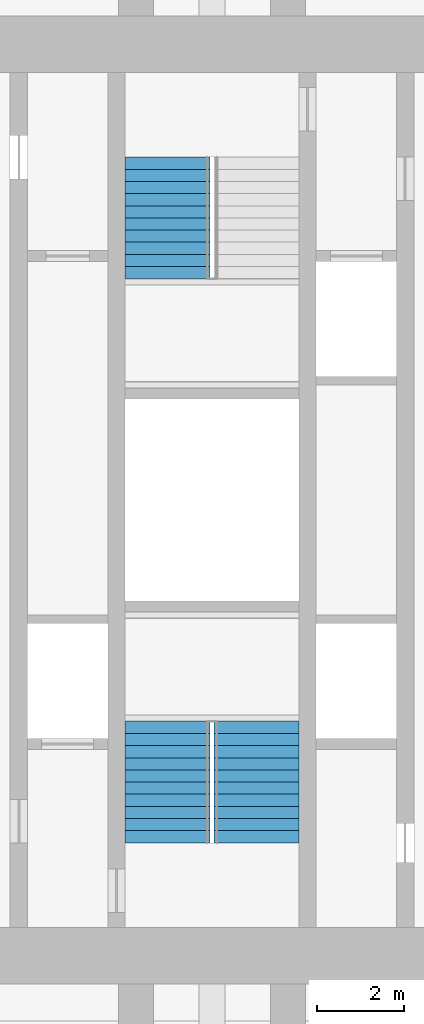
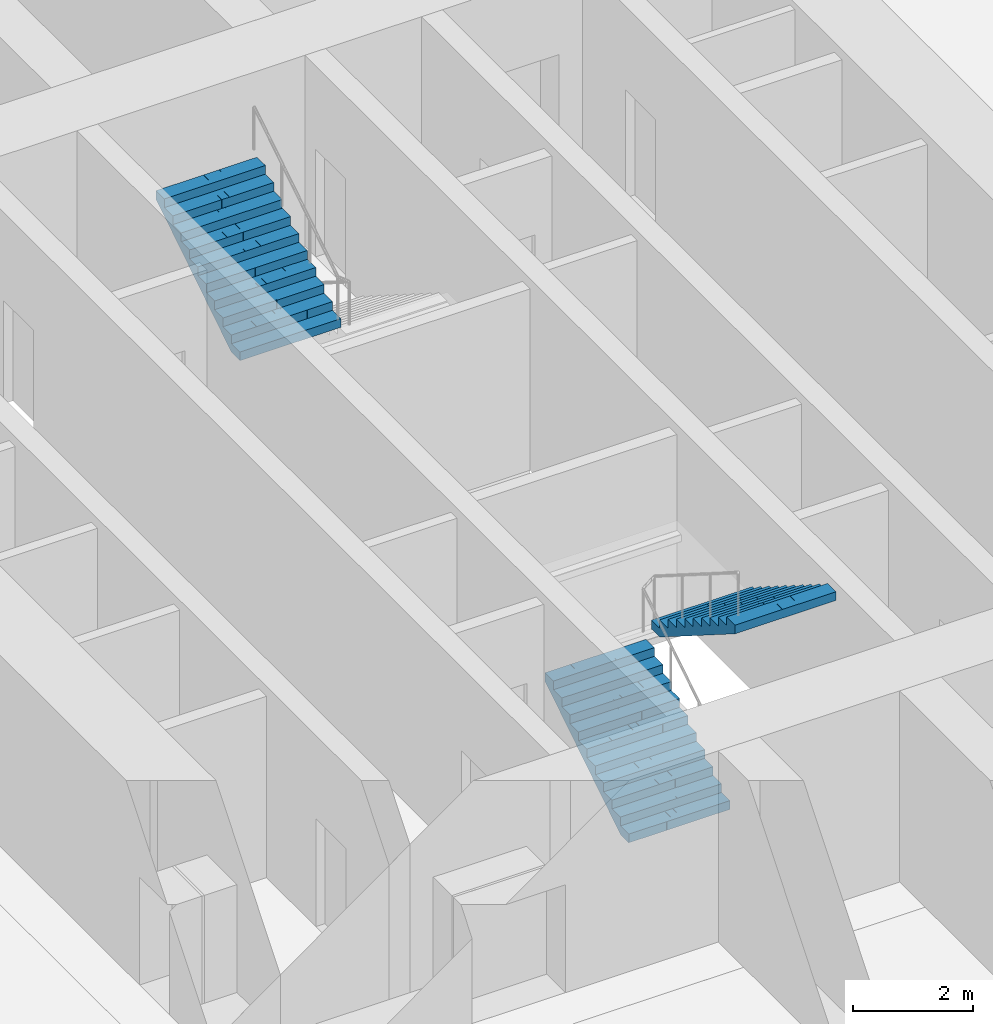
# One storey, part 20 of 22: 3 stair flights, 2 elements without a shape of their own.
"""IFC4 building model written with IfcOpenShell, lengths in metres."""

from ifc_helpers import new_model, si_unit, direction, frame, origin, place, context, subcontext, project, spatial, polyline, outline, extrude, material, type_object, element, aggregate, save


model = new_model("IFC4")

# Units and contexts
model_context = context("Model", 3, precision=1e-05, world=origin(), true_north=direction((0.0, 1.0)))
body_context = subcontext(model_context, "Body", "Model", "MODEL_VIEW")
ifc_project = project(units=[si_unit("LENGTHUNIT", "METRE"), si_unit("AREAUNIT", "SQUARE_METRE"), si_unit("VOLUMEUNIT", "CUBIC_METRE"), si_unit("PLANEANGLEUNIT", "RADIAN"), si_unit("MASSUNIT", "GRAM", prefix="KILO")], contexts=[model_context])

# Site, building, storey
site_placement = place(None, origin())
site = spatial("IfcSite", under=ifc_project, at=site_placement, CompositionType="ELEMENT")
building_placement = place(site_placement, origin())
building = spatial("IfcBuilding", under=site, at=building_placement, Name="Mizan Broadcast Tower", CompositionType="ELEMENT")
storey_placement = place(building_placement, frame((0.0, 0.0, 66.89990234375)))
storey = spatial("IfcBuildingStorey", under=building, at=storey_placement, Name="L13", CompositionType="ELEMENT", Elevation=66.89990234375)

# Stair, stair flights
ifc_material_1 = material(Name="Concrete C40/50", Category="concrete")
stair_type = type_object("IfcStairType", Name="EXIT STAIR", PredefinedType="HALF_TURN_STAIR", material=ifc_material_1)
stair_1_placement = place(storey_placement, origin())
stair_1 = element("IfcStair", 1, at=stair_1_placement, inside=storey, type_object=stair_type, Name="Stair A L13", PredefinedType="HALF_TURN_STAIR")
ifc_material_2 = material(Name="Concrete C40/50", Category="concrete")
stair_flight_type = type_object("IfcStairFlightType", Name="EXIT STAIR FLIGHT", PredefinedType="STRAIGHT", material=ifc_material_2)
stair_flight_1_placement = place(storey_placement, frame((-1.02490234375, -7.89990234375, 0.0), z_axis=(0.0, 0.0, 1.0), x_axis=(0.0, 1.0, 0.0)))
stair_flight_1 = element("IfcStairFlight", 2, at=stair_flight_1_placement, type_object=stair_flight_type, Name="A flight 1", NumberOfRisers=11, NumberOfTreads=10, PredefinedType="STRAIGHT", RiserHeight=0.177272727, TreadLength=0.28, context=body_context, shape_type="SweptSolid", body=[
    extrude(outline(polyline([(0.0, 0.0), (0.0, 0.17724609375), (0.280029296875, 0.17724609375), (0.280029296875, 0.3544921875), (0.56005859375, 0.3544921875), (0.56005859375, 0.53173828125), (0.840087890625, 0.53173828125), (0.840087890625, 0.708984375), (1.1201171875, 0.708984375), (1.1201171875, 0.886474609375), (1.39990234375, 0.886474609375), (1.39990234375, 1.063720703125), (1.679931640625, 1.063720703125), (1.679931640625, 1.240966796875), (1.9599609375, 1.240966796875), (1.9599609375, 1.418212890625), (2.239990234375, 1.418212890625), (2.239990234375, 1.595458984375), (2.52001953125, 1.595458984375), (2.52001953125, 1.772705078125), (2.800048828125, 1.772705078125), (2.800048828125, 1.949951171875), (2.800048828125, 1.59521484375), (0.2802734375, 0.0), (0.0, 0.0)])), frame((0.0, 0.97509765625, 0.0), z_axis=(0.0, -1.0, 0.0), x_axis=(1.0, 0.0, 0.0)), (0.0, 0.0, 1.0), 0.4873046875),
    extrude(outline(polyline([(0.0, 0.0), (0.0, 0.17724609375), (0.280029296875, 0.17724609375), (0.280029296875, 0.3544921875), (0.56005859375, 0.3544921875), (0.56005859375, 0.53173828125), (0.840087890625, 0.53173828125), (0.840087890625, 0.708984375), (1.1201171875, 0.708984375), (1.1201171875, 0.886474609375), (1.39990234375, 0.886474609375), (1.39990234375, 1.063720703125), (1.679931640625, 1.063720703125), (1.679931640625, 1.240966796875), (1.9599609375, 1.240966796875), (1.9599609375, 1.418212890625), (2.239990234375, 1.418212890625), (2.239990234375, 1.595458984375), (2.52001953125, 1.595458984375), (2.52001953125, 1.772705078125), (2.800048828125, 1.772705078125), (2.800048828125, 1.949951171875), (2.800048828125, 1.59521484375), (0.2802734375, 0.0), (0.0, 0.0)])), frame((0.0, 0.4873046875, 0.0), z_axis=(0.0, -1.0, 0.0), x_axis=(1.0, 0.0, 0.0)), (0.0, 0.0, 1.0), 0.2431640625),
    extrude(outline(polyline([(0.0, 0.0), (0.0, 0.17724609375), (0.280029296875, 0.17724609375), (0.280029296875, 0.3544921875), (0.56005859375, 0.3544921875), (0.56005859375, 0.53173828125), (0.840087890625, 0.53173828125), (0.840087890625, 0.708984375), (1.1201171875, 0.708984375), (1.1201171875, 0.886474609375), (1.39990234375, 0.886474609375), (1.39990234375, 1.063720703125), (1.679931640625, 1.063720703125), (1.679931640625, 1.240966796875), (1.9599609375, 1.240966796875), (1.9599609375, 1.418212890625), (2.239990234375, 1.418212890625), (2.239990234375, 1.595458984375), (2.52001953125, 1.595458984375), (2.52001953125, 1.772705078125), (2.800048828125, 1.772705078125), (2.800048828125, 1.949951171875), (2.800048828125, 1.59521484375), (0.2802734375, 0.0), (0.0, 0.0)])), frame((0.0, 0.24365234375, 0.0), z_axis=(0.0, -1.0, 0.0), x_axis=(1.0, 0.0, 0.0)), (0.0, 0.0, 1.0), 0.121337890625),
    extrude(outline(polyline([(0.0, 0.0), (0.0, 0.17724609375), (0.280029296875, 0.17724609375), (0.280029296875, 0.3544921875), (0.56005859375, 0.3544921875), (0.56005859375, 0.53173828125), (0.840087890625, 0.53173828125), (0.840087890625, 0.708984375), (1.1201171875, 0.708984375), (1.1201171875, 0.886474609375), (1.39990234375, 0.886474609375), (1.39990234375, 1.063720703125), (1.679931640625, 1.063720703125), (1.679931640625, 1.240966796875), (1.9599609375, 1.240966796875), (1.9599609375, 1.418212890625), (2.239990234375, 1.418212890625), (2.239990234375, 1.595458984375), (2.52001953125, 1.595458984375), (2.52001953125, 1.772705078125), (2.800048828125, 1.772705078125), (2.800048828125, 1.949951171875), (2.800048828125, 1.59521484375), (0.2802734375, 0.0), (0.0, 0.0)])), frame((0.0, 0.121826171875, 0.0), z_axis=(0.0, -1.0, 0.0), x_axis=(1.0, 0.0, 0.0)), (0.0, 0.0, 1.0), 0.060546875),
    extrude(outline(polyline([(0.0, 0.0), (0.0, 0.17724609375), (0.280029296875, 0.17724609375), (0.280029296875, 0.3544921875), (0.56005859375, 0.3544921875), (0.56005859375, 0.53173828125), (0.840087890625, 0.53173828125), (0.840087890625, 0.708984375), (1.1201171875, 0.708984375), (1.1201171875, 0.886474609375), (1.39990234375, 0.886474609375), (1.39990234375, 1.063720703125), (1.679931640625, 1.063720703125), (1.679931640625, 1.240966796875), (1.9599609375, 1.240966796875), (1.9599609375, 1.418212890625), (2.239990234375, 1.418212890625), (2.239990234375, 1.595458984375), (2.52001953125, 1.595458984375), (2.52001953125, 1.772705078125), (2.800048828125, 1.772705078125), (2.800048828125, 1.949951171875), (2.800048828125, 1.59521484375), (0.2802734375, 0.0), (0.0, 0.0)])), frame((0.0, 0.060791015625, 0.0), z_axis=(0.0, -1.0, 0.0), x_axis=(1.0, 0.0, 0.0)), (0.0, 0.0, 1.0), 0.030029296875),
    extrude(outline(polyline([(0.0, 0.0), (0.0, 0.17724609375), (0.280029296875, 0.17724609375), (0.280029296875, 0.3544921875), (0.56005859375, 0.3544921875), (0.56005859375, 0.53173828125), (0.840087890625, 0.53173828125), (0.840087890625, 0.708984375), (1.1201171875, 0.708984375), (1.1201171875, 0.886474609375), (1.39990234375, 0.886474609375), (1.39990234375, 1.063720703125), (1.679931640625, 1.063720703125), (1.679931640625, 1.240966796875), (1.9599609375, 1.240966796875), (1.9599609375, 1.418212890625), (2.239990234375, 1.418212890625), (2.239990234375, 1.595458984375), (2.52001953125, 1.595458984375), (2.52001953125, 1.772705078125), (2.800048828125, 1.772705078125), (2.800048828125, 1.949951171875), (2.800048828125, 1.59521484375), (0.2802734375, 0.0), (0.0, 0.0)])), frame((0.0, 0.0302734375, 0.0), z_axis=(0.0, -1.0, 0.0), x_axis=(1.0, 0.0, 0.0)), (0.0, 0.0, 1.0), 0.060302734375),
    extrude(outline(polyline([(0.0, 0.0), (0.0, 0.17724609375), (0.280029296875, 0.17724609375), (0.280029296875, 0.3544921875), (0.56005859375, 0.3544921875), (0.56005859375, 0.53173828125), (0.840087890625, 0.53173828125), (0.840087890625, 0.708984375), (1.1201171875, 0.708984375), (1.1201171875, 0.886474609375), (1.39990234375, 0.886474609375), (1.39990234375, 1.063720703125), (1.679931640625, 1.063720703125), (1.679931640625, 1.240966796875), (1.9599609375, 1.240966796875), (1.9599609375, 1.418212890625), (2.239990234375, 1.418212890625), (2.239990234375, 1.595458984375), (2.52001953125, 1.595458984375), (2.52001953125, 1.772705078125), (2.800048828125, 1.772705078125), (2.800048828125, 1.949951171875), (2.800048828125, 1.59521484375), (0.2802734375, 0.0), (0.0, 0.0)])), frame((0.0, -0.030517578125, 0.0), z_axis=(0.0, -1.0, 0.0), x_axis=(1.0, 0.0, 0.0)), (0.0, 0.0, 1.0), 0.030029296875),
    extrude(outline(polyline([(0.0, 0.0), (0.0, 0.17724609375), (0.280029296875, 0.17724609375), (0.280029296875, 0.3544921875), (0.56005859375, 0.3544921875), (0.56005859375, 0.53173828125), (0.840087890625, 0.53173828125), (0.840087890625, 0.708984375), (1.1201171875, 0.708984375), (1.1201171875, 0.886474609375), (1.39990234375, 0.886474609375), (1.39990234375, 1.063720703125), (1.679931640625, 1.063720703125), (1.679931640625, 1.240966796875), (1.9599609375, 1.240966796875), (1.9599609375, 1.418212890625), (2.239990234375, 1.418212890625), (2.239990234375, 1.595458984375), (2.52001953125, 1.595458984375), (2.52001953125, 1.772705078125), (2.800048828125, 1.772705078125), (2.800048828125, 1.949951171875), (2.800048828125, 1.59521484375), (0.2802734375, 0.0), (0.0, 0.0)])), frame((0.0, -0.06103515625, 0.0), z_axis=(0.0, -1.0, 0.0), x_axis=(1.0, 0.0, 0.0)), (0.0, 0.0, 1.0), 0.060546875),
    extrude(outline(polyline([(0.0, 0.0), (0.0, 0.17724609375), (0.280029296875, 0.17724609375), (0.280029296875, 0.3544921875), (0.56005859375, 0.3544921875), (0.56005859375, 0.53173828125), (0.840087890625, 0.53173828125), (0.840087890625, 0.708984375), (1.1201171875, 0.708984375), (1.1201171875, 0.886474609375), (1.39990234375, 0.886474609375), (1.39990234375, 1.063720703125), (1.679931640625, 1.063720703125), (1.679931640625, 1.240966796875), (1.9599609375, 1.240966796875), (1.9599609375, 1.418212890625), (2.239990234375, 1.418212890625), (2.239990234375, 1.595458984375), (2.52001953125, 1.595458984375), (2.52001953125, 1.772705078125), (2.800048828125, 1.772705078125), (2.800048828125, 1.949951171875), (2.800048828125, 1.59521484375), (0.2802734375, 0.0), (0.0, 0.0)])), frame((0.0, -0.1220703125, 0.0), z_axis=(0.0, -1.0, 0.0), x_axis=(1.0, 0.0, 0.0)), (0.0, 0.0, 1.0), 0.121337890625),
    extrude(outline(polyline([(0.0, 0.0), (0.0, 0.17724609375), (0.280029296875, 0.17724609375), (0.280029296875, 0.3544921875), (0.56005859375, 0.3544921875), (0.56005859375, 0.53173828125), (0.840087890625, 0.53173828125), (0.840087890625, 0.708984375), (1.1201171875, 0.708984375), (1.1201171875, 0.886474609375), (1.39990234375, 0.886474609375), (1.39990234375, 1.063720703125), (1.679931640625, 1.063720703125), (1.679931640625, 1.240966796875), (1.9599609375, 1.240966796875), (1.9599609375, 1.418212890625), (2.239990234375, 1.418212890625), (2.239990234375, 1.595458984375), (2.52001953125, 1.595458984375), (2.52001953125, 1.772705078125), (2.800048828125, 1.772705078125), (2.800048828125, 1.949951171875), (2.800048828125, 1.59521484375), (0.2802734375, 0.0), (0.0, 0.0)])), frame((0.0, -0.243896484375, 0.0), z_axis=(0.0, -1.0, 0.0), x_axis=(1.0, 0.0, 0.0)), (0.0, 0.0, 1.0), 0.2431640625),
    extrude(outline(polyline([(0.0, 0.0), (0.0, 0.17724609375), (0.280029296875, 0.17724609375), (0.280029296875, 0.3544921875), (0.56005859375, 0.3544921875), (0.56005859375, 0.53173828125), (0.840087890625, 0.53173828125), (0.840087890625, 0.708984375), (1.1201171875, 0.708984375), (1.1201171875, 0.886474609375), (1.39990234375, 0.886474609375), (1.39990234375, 1.063720703125), (1.679931640625, 1.063720703125), (1.679931640625, 1.240966796875), (1.9599609375, 1.240966796875), (1.9599609375, 1.418212890625), (2.239990234375, 1.418212890625), (2.239990234375, 1.595458984375), (2.52001953125, 1.595458984375), (2.52001953125, 1.772705078125), (2.800048828125, 1.772705078125), (2.800048828125, 1.949951171875), (2.800048828125, 1.59521484375), (0.2802734375, 0.0), (0.0, 0.0)])), frame((0.0, -0.487548828125, 0.0), z_axis=(0.0, -1.0, 0.0), x_axis=(1.0, 0.0, 0.0)), (0.0, 0.0, 1.0), 0.4873046875),
])
stair_flight_2_placement = place(storey_placement, frame((1.02490234375, -5.10009765625, 1.9501953125), z_axis=(0.0, 0.0, 1.0), x_axis=(0.0, -1.0, 0.0)))
stair_flight_2 = element("IfcStairFlight", 3, at=stair_flight_2_placement, type_object=stair_flight_type, Name="A flight 2", NumberOfRisers=11, NumberOfTreads=10, PredefinedType="STRAIGHT", RiserHeight=0.177272727, TreadLength=0.28, context=body_context, shape_type="SweptSolid", body=[
    extrude(outline(polyline([(0.0, 0.0), (0.0, 0.17724609375), (0.280029296875, 0.17724609375), (0.280029296875, 0.3544921875), (0.56005859375, 0.3544921875), (0.56005859375, 0.53173828125), (0.840087890625, 0.53173828125), (0.840087890625, 0.708984375), (1.1201171875, 0.708984375), (1.1201171875, 0.886474609375), (1.39990234375, 0.886474609375), (1.39990234375, 1.063720703125), (1.679931640625, 1.063720703125), (1.679931640625, 1.240966796875), (1.9599609375, 1.240966796875), (1.9599609375, 1.418212890625), (2.239990234375, 1.418212890625), (2.239990234375, 1.595458984375), (2.52001953125, 1.595458984375), (2.52001953125, 1.772705078125), (2.800048828125, 1.772705078125), (2.800048828125, 1.949951171875), (2.800048828125, 1.59521484375), (0.2802734375, 0.0), (0.0, 0.0)])), frame((0.0, 0.97509765625, 0.0), z_axis=(0.0, -1.0, 0.0), x_axis=(1.0, 0.0, 0.0)), (0.0, 0.0, 1.0), 0.4873046875),
    extrude(outline(polyline([(0.0, 0.0), (0.0, 0.17724609375), (0.280029296875, 0.17724609375), (0.280029296875, 0.3544921875), (0.56005859375, 0.3544921875), (0.56005859375, 0.53173828125), (0.840087890625, 0.53173828125), (0.840087890625, 0.708984375), (1.1201171875, 0.708984375), (1.1201171875, 0.886474609375), (1.39990234375, 0.886474609375), (1.39990234375, 1.063720703125), (1.679931640625, 1.063720703125), (1.679931640625, 1.240966796875), (1.9599609375, 1.240966796875), (1.9599609375, 1.418212890625), (2.239990234375, 1.418212890625), (2.239990234375, 1.595458984375), (2.52001953125, 1.595458984375), (2.52001953125, 1.772705078125), (2.800048828125, 1.772705078125), (2.800048828125, 1.949951171875), (2.800048828125, 1.59521484375), (0.2802734375, 0.0), (0.0, 0.0)])), frame((0.0, 0.4873046875, 0.0), z_axis=(0.0, -1.0, 0.0), x_axis=(1.0, 0.0, 0.0)), (0.0, 0.0, 1.0), 0.2431640625),
    extrude(outline(polyline([(0.0, 0.0), (0.0, 0.17724609375), (0.280029296875, 0.17724609375), (0.280029296875, 0.3544921875), (0.56005859375, 0.3544921875), (0.56005859375, 0.53173828125), (0.840087890625, 0.53173828125), (0.840087890625, 0.708984375), (1.1201171875, 0.708984375), (1.1201171875, 0.886474609375), (1.39990234375, 0.886474609375), (1.39990234375, 1.063720703125), (1.679931640625, 1.063720703125), (1.679931640625, 1.240966796875), (1.9599609375, 1.240966796875), (1.9599609375, 1.418212890625), (2.239990234375, 1.418212890625), (2.239990234375, 1.595458984375), (2.52001953125, 1.595458984375), (2.52001953125, 1.772705078125), (2.800048828125, 1.772705078125), (2.800048828125, 1.949951171875), (2.800048828125, 1.59521484375), (0.2802734375, 0.0), (0.0, 0.0)])), frame((0.0, 0.24365234375, 0.0), z_axis=(0.0, -1.0, 0.0), x_axis=(1.0, 0.0, 0.0)), (0.0, 0.0, 1.0), 0.121337890625),
    extrude(outline(polyline([(0.0, 0.0), (0.0, 0.17724609375), (0.280029296875, 0.17724609375), (0.280029296875, 0.3544921875), (0.56005859375, 0.3544921875), (0.56005859375, 0.53173828125), (0.840087890625, 0.53173828125), (0.840087890625, 0.708984375), (1.1201171875, 0.708984375), (1.1201171875, 0.886474609375), (1.39990234375, 0.886474609375), (1.39990234375, 1.063720703125), (1.679931640625, 1.063720703125), (1.679931640625, 1.240966796875), (1.9599609375, 1.240966796875), (1.9599609375, 1.418212890625), (2.239990234375, 1.418212890625), (2.239990234375, 1.595458984375), (2.52001953125, 1.595458984375), (2.52001953125, 1.772705078125), (2.800048828125, 1.772705078125), (2.800048828125, 1.949951171875), (2.800048828125, 1.59521484375), (0.2802734375, 0.0), (0.0, 0.0)])), frame((0.0, 0.121826171875, 0.0), z_axis=(0.0, -1.0, 0.0), x_axis=(1.0, 0.0, 0.0)), (0.0, 0.0, 1.0), 0.060546875),
    extrude(outline(polyline([(0.0, 0.0), (0.0, 0.17724609375), (0.280029296875, 0.17724609375), (0.280029296875, 0.3544921875), (0.56005859375, 0.3544921875), (0.56005859375, 0.53173828125), (0.840087890625, 0.53173828125), (0.840087890625, 0.708984375), (1.1201171875, 0.708984375), (1.1201171875, 0.886474609375), (1.39990234375, 0.886474609375), (1.39990234375, 1.063720703125), (1.679931640625, 1.063720703125), (1.679931640625, 1.240966796875), (1.9599609375, 1.240966796875), (1.9599609375, 1.418212890625), (2.239990234375, 1.418212890625), (2.239990234375, 1.595458984375), (2.52001953125, 1.595458984375), (2.52001953125, 1.772705078125), (2.800048828125, 1.772705078125), (2.800048828125, 1.949951171875), (2.800048828125, 1.59521484375), (0.2802734375, 0.0), (0.0, 0.0)])), frame((0.0, 0.060791015625, 0.0), z_axis=(0.0, -1.0, 0.0), x_axis=(1.0, 0.0, 0.0)), (0.0, 0.0, 1.0), 0.030029296875),
    extrude(outline(polyline([(0.0, 0.0), (0.0, 0.17724609375), (0.280029296875, 0.17724609375), (0.280029296875, 0.3544921875), (0.56005859375, 0.3544921875), (0.56005859375, 0.53173828125), (0.840087890625, 0.53173828125), (0.840087890625, 0.708984375), (1.1201171875, 0.708984375), (1.1201171875, 0.886474609375), (1.39990234375, 0.886474609375), (1.39990234375, 1.063720703125), (1.679931640625, 1.063720703125), (1.679931640625, 1.240966796875), (1.9599609375, 1.240966796875), (1.9599609375, 1.418212890625), (2.239990234375, 1.418212890625), (2.239990234375, 1.595458984375), (2.52001953125, 1.595458984375), (2.52001953125, 1.772705078125), (2.800048828125, 1.772705078125), (2.800048828125, 1.949951171875), (2.800048828125, 1.59521484375), (0.2802734375, 0.0), (0.0, 0.0)])), frame((0.0, 0.0302734375, 0.0), z_axis=(0.0, -1.0, 0.0), x_axis=(1.0, 0.0, 0.0)), (0.0, 0.0, 1.0), 0.060302734375),
    extrude(outline(polyline([(0.0, 0.0), (0.0, 0.17724609375), (0.280029296875, 0.17724609375), (0.280029296875, 0.3544921875), (0.56005859375, 0.3544921875), (0.56005859375, 0.53173828125), (0.840087890625, 0.53173828125), (0.840087890625, 0.708984375), (1.1201171875, 0.708984375), (1.1201171875, 0.886474609375), (1.39990234375, 0.886474609375), (1.39990234375, 1.063720703125), (1.679931640625, 1.063720703125), (1.679931640625, 1.240966796875), (1.9599609375, 1.240966796875), (1.9599609375, 1.418212890625), (2.239990234375, 1.418212890625), (2.239990234375, 1.595458984375), (2.52001953125, 1.595458984375), (2.52001953125, 1.772705078125), (2.800048828125, 1.772705078125), (2.800048828125, 1.949951171875), (2.800048828125, 1.59521484375), (0.2802734375, 0.0), (0.0, 0.0)])), frame((0.0, -0.030517578125, 0.0), z_axis=(0.0, -1.0, 0.0), x_axis=(1.0, 0.0, 0.0)), (0.0, 0.0, 1.0), 0.030029296875),
    extrude(outline(polyline([(0.0, 0.0), (0.0, 0.17724609375), (0.280029296875, 0.17724609375), (0.280029296875, 0.3544921875), (0.56005859375, 0.3544921875), (0.56005859375, 0.53173828125), (0.840087890625, 0.53173828125), (0.840087890625, 0.708984375), (1.1201171875, 0.708984375), (1.1201171875, 0.886474609375), (1.39990234375, 0.886474609375), (1.39990234375, 1.063720703125), (1.679931640625, 1.063720703125), (1.679931640625, 1.240966796875), (1.9599609375, 1.240966796875), (1.9599609375, 1.418212890625), (2.239990234375, 1.418212890625), (2.239990234375, 1.595458984375), (2.52001953125, 1.595458984375), (2.52001953125, 1.772705078125), (2.800048828125, 1.772705078125), (2.800048828125, 1.949951171875), (2.800048828125, 1.59521484375), (0.2802734375, 0.0), (0.0, 0.0)])), frame((0.0, -0.06103515625, 0.0), z_axis=(0.0, -1.0, 0.0), x_axis=(1.0, 0.0, 0.0)), (0.0, 0.0, 1.0), 0.060546875),
    extrude(outline(polyline([(0.0, 0.0), (0.0, 0.17724609375), (0.280029296875, 0.17724609375), (0.280029296875, 0.3544921875), (0.56005859375, 0.3544921875), (0.56005859375, 0.53173828125), (0.840087890625, 0.53173828125), (0.840087890625, 0.708984375), (1.1201171875, 0.708984375), (1.1201171875, 0.886474609375), (1.39990234375, 0.886474609375), (1.39990234375, 1.063720703125), (1.679931640625, 1.063720703125), (1.679931640625, 1.240966796875), (1.9599609375, 1.240966796875), (1.9599609375, 1.418212890625), (2.239990234375, 1.418212890625), (2.239990234375, 1.595458984375), (2.52001953125, 1.595458984375), (2.52001953125, 1.772705078125), (2.800048828125, 1.772705078125), (2.800048828125, 1.949951171875), (2.800048828125, 1.59521484375), (0.2802734375, 0.0), (0.0, 0.0)])), frame((0.0, -0.1220703125, 0.0), z_axis=(0.0, -1.0, 0.0), x_axis=(1.0, 0.0, 0.0)), (0.0, 0.0, 1.0), 0.121337890625),
    extrude(outline(polyline([(0.0, 0.0), (0.0, 0.17724609375), (0.280029296875, 0.17724609375), (0.280029296875, 0.3544921875), (0.56005859375, 0.3544921875), (0.56005859375, 0.53173828125), (0.840087890625, 0.53173828125), (0.840087890625, 0.708984375), (1.1201171875, 0.708984375), (1.1201171875, 0.886474609375), (1.39990234375, 0.886474609375), (1.39990234375, 1.063720703125), (1.679931640625, 1.063720703125), (1.679931640625, 1.240966796875), (1.9599609375, 1.240966796875), (1.9599609375, 1.418212890625), (2.239990234375, 1.418212890625), (2.239990234375, 1.595458984375), (2.52001953125, 1.595458984375), (2.52001953125, 1.772705078125), (2.800048828125, 1.772705078125), (2.800048828125, 1.949951171875), (2.800048828125, 1.59521484375), (0.2802734375, 0.0), (0.0, 0.0)])), frame((0.0, -0.243896484375, 0.0), z_axis=(0.0, -1.0, 0.0), x_axis=(1.0, 0.0, 0.0)), (0.0, 0.0, 1.0), 0.2431640625),
    extrude(outline(polyline([(0.0, 0.0), (0.0, 0.17724609375), (0.280029296875, 0.17724609375), (0.280029296875, 0.3544921875), (0.56005859375, 0.3544921875), (0.56005859375, 0.53173828125), (0.840087890625, 0.53173828125), (0.840087890625, 0.708984375), (1.1201171875, 0.708984375), (1.1201171875, 0.886474609375), (1.39990234375, 0.886474609375), (1.39990234375, 1.063720703125), (1.679931640625, 1.063720703125), (1.679931640625, 1.240966796875), (1.9599609375, 1.240966796875), (1.9599609375, 1.418212890625), (2.239990234375, 1.418212890625), (2.239990234375, 1.595458984375), (2.52001953125, 1.595458984375), (2.52001953125, 1.772705078125), (2.800048828125, 1.772705078125), (2.800048828125, 1.949951171875), (2.800048828125, 1.59521484375), (0.2802734375, 0.0), (0.0, 0.0)])), frame((0.0, -0.487548828125, 0.0), z_axis=(0.0, -1.0, 0.0), x_axis=(1.0, 0.0, 0.0)), (0.0, 0.0, 1.0), 0.4873046875),
])
aggregate(stair_1, [stair_flight_1, stair_flight_2])

# Stair, stair flight
stair_2_placement = place(storey_placement, origin())
stair_2 = element("IfcStair", 4, at=stair_2_placement, inside=storey, type_object=stair_type, Name="Stair B L13", PredefinedType="HALF_TURN_STAIR")
stair_flight_3_placement = place(storey_placement, frame((-1.02490234375, 5.10009765625, 1.9501953125), z_axis=(0.0, 0.0, 1.0), x_axis=(0.0, 1.0, 0.0)))
stair_flight_3 = element("IfcStairFlight", 5, at=stair_flight_3_placement, type_object=stair_flight_type, Name="B flight 2", NumberOfRisers=11, NumberOfTreads=10, PredefinedType="STRAIGHT", RiserHeight=0.177272727, TreadLength=0.28, context=body_context, shape_type="SweptSolid", body=[
    extrude(outline(polyline([(0.0, 0.0), (0.0, 0.17724609375), (0.280029296875, 0.17724609375), (0.280029296875, 0.3544921875), (0.56005859375, 0.3544921875), (0.56005859375, 0.53173828125), (0.840087890625, 0.53173828125), (0.840087890625, 0.708984375), (1.1201171875, 0.708984375), (1.1201171875, 0.886474609375), (1.39990234375, 0.886474609375), (1.39990234375, 1.063720703125), (1.679931640625, 1.063720703125), (1.679931640625, 1.240966796875), (1.9599609375, 1.240966796875), (1.9599609375, 1.418212890625), (2.239990234375, 1.418212890625), (2.239990234375, 1.595458984375), (2.52001953125, 1.595458984375), (2.52001953125, 1.772705078125), (2.800048828125, 1.772705078125), (2.800048828125, 1.949951171875), (2.800048828125, 1.59521484375), (0.2802734375, 0.0), (0.0, 0.0)])), frame((0.0, 0.97509765625, 0.0), z_axis=(0.0, -1.0, 0.0), x_axis=(1.0, 0.0, 0.0)), (0.0, 0.0, 1.0), 0.4873046875),
    extrude(outline(polyline([(0.0, 0.0), (0.0, 0.17724609375), (0.280029296875, 0.17724609375), (0.280029296875, 0.3544921875), (0.56005859375, 0.3544921875), (0.56005859375, 0.53173828125), (0.840087890625, 0.53173828125), (0.840087890625, 0.708984375), (1.1201171875, 0.708984375), (1.1201171875, 0.886474609375), (1.39990234375, 0.886474609375), (1.39990234375, 1.063720703125), (1.679931640625, 1.063720703125), (1.679931640625, 1.240966796875), (1.9599609375, 1.240966796875), (1.9599609375, 1.418212890625), (2.239990234375, 1.418212890625), (2.239990234375, 1.595458984375), (2.52001953125, 1.595458984375), (2.52001953125, 1.772705078125), (2.800048828125, 1.772705078125), (2.800048828125, 1.949951171875), (2.800048828125, 1.59521484375), (0.2802734375, 0.0), (0.0, 0.0)])), frame((0.0, 0.4873046875, 0.0), z_axis=(0.0, -1.0, 0.0), x_axis=(1.0, 0.0, 0.0)), (0.0, 0.0, 1.0), 0.2431640625),
    extrude(outline(polyline([(0.0, 0.0), (0.0, 0.17724609375), (0.280029296875, 0.17724609375), (0.280029296875, 0.3544921875), (0.56005859375, 0.3544921875), (0.56005859375, 0.53173828125), (0.840087890625, 0.53173828125), (0.840087890625, 0.708984375), (1.1201171875, 0.708984375), (1.1201171875, 0.886474609375), (1.39990234375, 0.886474609375), (1.39990234375, 1.063720703125), (1.679931640625, 1.063720703125), (1.679931640625, 1.240966796875), (1.9599609375, 1.240966796875), (1.9599609375, 1.418212890625), (2.239990234375, 1.418212890625), (2.239990234375, 1.595458984375), (2.52001953125, 1.595458984375), (2.52001953125, 1.772705078125), (2.800048828125, 1.772705078125), (2.800048828125, 1.949951171875), (2.800048828125, 1.59521484375), (0.2802734375, 0.0), (0.0, 0.0)])), frame((0.0, 0.24365234375, 0.0), z_axis=(0.0, -1.0, 0.0), x_axis=(1.0, 0.0, 0.0)), (0.0, 0.0, 1.0), 0.121337890625),
    extrude(outline(polyline([(0.0, 0.0), (0.0, 0.17724609375), (0.280029296875, 0.17724609375), (0.280029296875, 0.3544921875), (0.56005859375, 0.3544921875), (0.56005859375, 0.53173828125), (0.840087890625, 0.53173828125), (0.840087890625, 0.708984375), (1.1201171875, 0.708984375), (1.1201171875, 0.886474609375), (1.39990234375, 0.886474609375), (1.39990234375, 1.063720703125), (1.679931640625, 1.063720703125), (1.679931640625, 1.240966796875), (1.9599609375, 1.240966796875), (1.9599609375, 1.418212890625), (2.239990234375, 1.418212890625), (2.239990234375, 1.595458984375), (2.52001953125, 1.595458984375), (2.52001953125, 1.772705078125), (2.800048828125, 1.772705078125), (2.800048828125, 1.949951171875), (2.800048828125, 1.59521484375), (0.2802734375, 0.0), (0.0, 0.0)])), frame((0.0, 0.121826171875, 0.0), z_axis=(0.0, -1.0, 0.0), x_axis=(1.0, 0.0, 0.0)), (0.0, 0.0, 1.0), 0.060546875),
    extrude(outline(polyline([(0.0, 0.0), (0.0, 0.17724609375), (0.280029296875, 0.17724609375), (0.280029296875, 0.3544921875), (0.56005859375, 0.3544921875), (0.56005859375, 0.53173828125), (0.840087890625, 0.53173828125), (0.840087890625, 0.708984375), (1.1201171875, 0.708984375), (1.1201171875, 0.886474609375), (1.39990234375, 0.886474609375), (1.39990234375, 1.063720703125), (1.679931640625, 1.063720703125), (1.679931640625, 1.240966796875), (1.9599609375, 1.240966796875), (1.9599609375, 1.418212890625), (2.239990234375, 1.418212890625), (2.239990234375, 1.595458984375), (2.52001953125, 1.595458984375), (2.52001953125, 1.772705078125), (2.800048828125, 1.772705078125), (2.800048828125, 1.949951171875), (2.800048828125, 1.59521484375), (0.2802734375, 0.0), (0.0, 0.0)])), frame((0.0, 0.060791015625, 0.0), z_axis=(0.0, -1.0, 0.0), x_axis=(1.0, 0.0, 0.0)), (0.0, 0.0, 1.0), 0.030029296875),
    extrude(outline(polyline([(0.0, 0.0), (0.0, 0.17724609375), (0.280029296875, 0.17724609375), (0.280029296875, 0.3544921875), (0.56005859375, 0.3544921875), (0.56005859375, 0.53173828125), (0.840087890625, 0.53173828125), (0.840087890625, 0.708984375), (1.1201171875, 0.708984375), (1.1201171875, 0.886474609375), (1.39990234375, 0.886474609375), (1.39990234375, 1.063720703125), (1.679931640625, 1.063720703125), (1.679931640625, 1.240966796875), (1.9599609375, 1.240966796875), (1.9599609375, 1.418212890625), (2.239990234375, 1.418212890625), (2.239990234375, 1.595458984375), (2.52001953125, 1.595458984375), (2.52001953125, 1.772705078125), (2.800048828125, 1.772705078125), (2.800048828125, 1.949951171875), (2.800048828125, 1.59521484375), (0.2802734375, 0.0), (0.0, 0.0)])), frame((0.0, 0.0302734375, 0.0), z_axis=(0.0, -1.0, 0.0), x_axis=(1.0, 0.0, 0.0)), (0.0, 0.0, 1.0), 0.060302734375),
    extrude(outline(polyline([(0.0, 0.0), (0.0, 0.17724609375), (0.280029296875, 0.17724609375), (0.280029296875, 0.3544921875), (0.56005859375, 0.3544921875), (0.56005859375, 0.53173828125), (0.840087890625, 0.53173828125), (0.840087890625, 0.708984375), (1.1201171875, 0.708984375), (1.1201171875, 0.886474609375), (1.39990234375, 0.886474609375), (1.39990234375, 1.063720703125), (1.679931640625, 1.063720703125), (1.679931640625, 1.240966796875), (1.9599609375, 1.240966796875), (1.9599609375, 1.418212890625), (2.239990234375, 1.418212890625), (2.239990234375, 1.595458984375), (2.52001953125, 1.595458984375), (2.52001953125, 1.772705078125), (2.800048828125, 1.772705078125), (2.800048828125, 1.949951171875), (2.800048828125, 1.59521484375), (0.2802734375, 0.0), (0.0, 0.0)])), frame((0.0, -0.030517578125, 0.0), z_axis=(0.0, -1.0, 0.0), x_axis=(1.0, 0.0, 0.0)), (0.0, 0.0, 1.0), 0.030029296875),
    extrude(outline(polyline([(0.0, 0.0), (0.0, 0.17724609375), (0.280029296875, 0.17724609375), (0.280029296875, 0.3544921875), (0.56005859375, 0.3544921875), (0.56005859375, 0.53173828125), (0.840087890625, 0.53173828125), (0.840087890625, 0.708984375), (1.1201171875, 0.708984375), (1.1201171875, 0.886474609375), (1.39990234375, 0.886474609375), (1.39990234375, 1.063720703125), (1.679931640625, 1.063720703125), (1.679931640625, 1.240966796875), (1.9599609375, 1.240966796875), (1.9599609375, 1.418212890625), (2.239990234375, 1.418212890625), (2.239990234375, 1.595458984375), (2.52001953125, 1.595458984375), (2.52001953125, 1.772705078125), (2.800048828125, 1.772705078125), (2.800048828125, 1.949951171875), (2.800048828125, 1.59521484375), (0.2802734375, 0.0), (0.0, 0.0)])), frame((0.0, -0.06103515625, 0.0), z_axis=(0.0, -1.0, 0.0), x_axis=(1.0, 0.0, 0.0)), (0.0, 0.0, 1.0), 0.060546875),
    extrude(outline(polyline([(0.0, 0.0), (0.0, 0.17724609375), (0.280029296875, 0.17724609375), (0.280029296875, 0.3544921875), (0.56005859375, 0.3544921875), (0.56005859375, 0.53173828125), (0.840087890625, 0.53173828125), (0.840087890625, 0.708984375), (1.1201171875, 0.708984375), (1.1201171875, 0.886474609375), (1.39990234375, 0.886474609375), (1.39990234375, 1.063720703125), (1.679931640625, 1.063720703125), (1.679931640625, 1.240966796875), (1.9599609375, 1.240966796875), (1.9599609375, 1.418212890625), (2.239990234375, 1.418212890625), (2.239990234375, 1.595458984375), (2.52001953125, 1.595458984375), (2.52001953125, 1.772705078125), (2.800048828125, 1.772705078125), (2.800048828125, 1.949951171875), (2.800048828125, 1.59521484375), (0.2802734375, 0.0), (0.0, 0.0)])), frame((0.0, -0.1220703125, 0.0), z_axis=(0.0, -1.0, 0.0), x_axis=(1.0, 0.0, 0.0)), (0.0, 0.0, 1.0), 0.121337890625),
    extrude(outline(polyline([(0.0, 0.0), (0.0, 0.17724609375), (0.280029296875, 0.17724609375), (0.280029296875, 0.3544921875), (0.56005859375, 0.3544921875), (0.56005859375, 0.53173828125), (0.840087890625, 0.53173828125), (0.840087890625, 0.708984375), (1.1201171875, 0.708984375), (1.1201171875, 0.886474609375), (1.39990234375, 0.886474609375), (1.39990234375, 1.063720703125), (1.679931640625, 1.063720703125), (1.679931640625, 1.240966796875), (1.9599609375, 1.240966796875), (1.9599609375, 1.418212890625), (2.239990234375, 1.418212890625), (2.239990234375, 1.595458984375), (2.52001953125, 1.595458984375), (2.52001953125, 1.772705078125), (2.800048828125, 1.772705078125), (2.800048828125, 1.949951171875), (2.800048828125, 1.59521484375), (0.2802734375, 0.0), (0.0, 0.0)])), frame((0.0, -0.243896484375, 0.0), z_axis=(0.0, -1.0, 0.0), x_axis=(1.0, 0.0, 0.0)), (0.0, 0.0, 1.0), 0.2431640625),
    extrude(outline(polyline([(0.0, 0.0), (0.0, 0.17724609375), (0.280029296875, 0.17724609375), (0.280029296875, 0.3544921875), (0.56005859375, 0.3544921875), (0.56005859375, 0.53173828125), (0.840087890625, 0.53173828125), (0.840087890625, 0.708984375), (1.1201171875, 0.708984375), (1.1201171875, 0.886474609375), (1.39990234375, 0.886474609375), (1.39990234375, 1.063720703125), (1.679931640625, 1.063720703125), (1.679931640625, 1.240966796875), (1.9599609375, 1.240966796875), (1.9599609375, 1.418212890625), (2.239990234375, 1.418212890625), (2.239990234375, 1.595458984375), (2.52001953125, 1.595458984375), (2.52001953125, 1.772705078125), (2.800048828125, 1.772705078125), (2.800048828125, 1.949951171875), (2.800048828125, 1.59521484375), (0.2802734375, 0.0), (0.0, 0.0)])), frame((0.0, -0.487548828125, 0.0), z_axis=(0.0, -1.0, 0.0), x_axis=(1.0, 0.0, 0.0)), (0.0, 0.0, 1.0), 0.4873046875),
])
aggregate(stair_2, [stair_flight_3])

save(model, "model.ifc")
